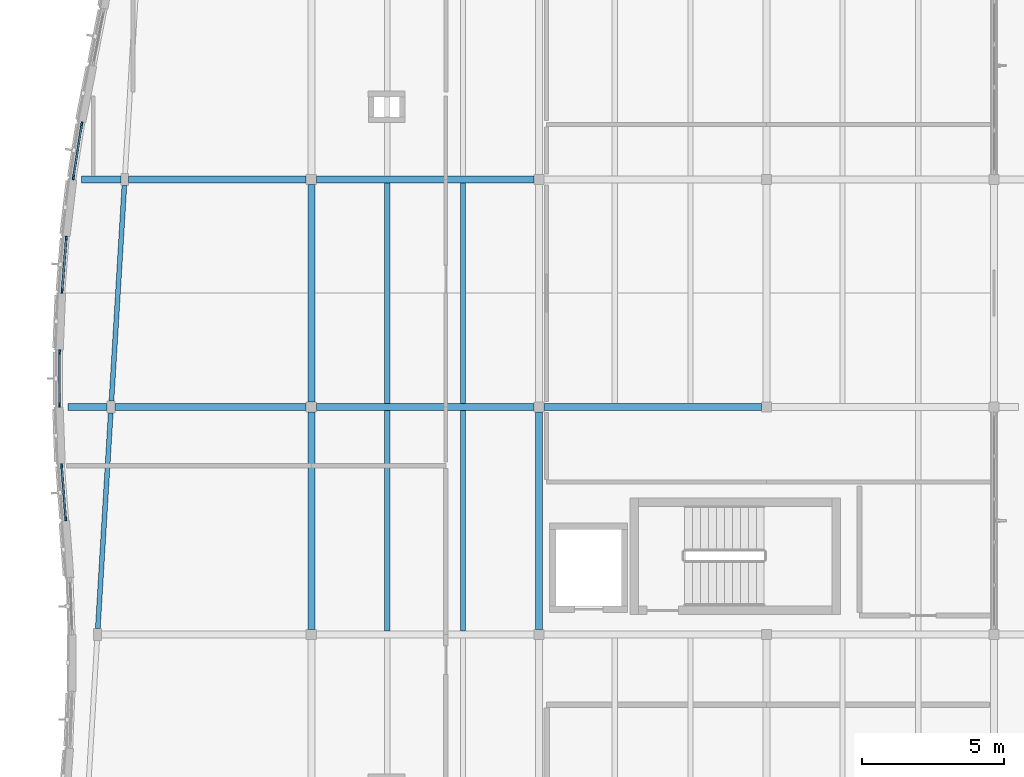
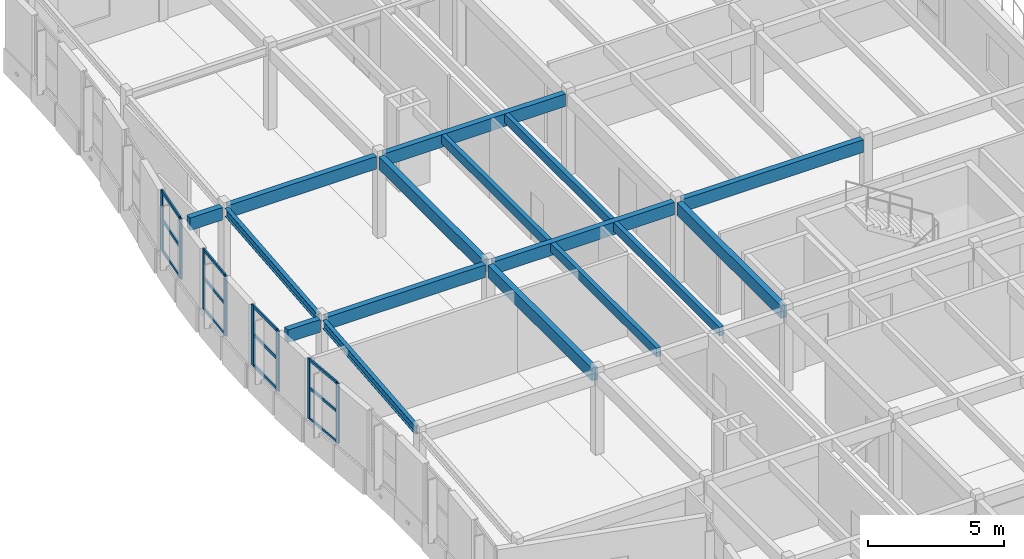
# One storey, part 9 of 63: 20 members, 16 beams, 4 elements without a shape of their own.
"""IFC4 building model written with IfcOpenShell, lengths in metres."""

from ifc_helpers import new_model, si_unit, direction, frame, origin, origin_2d, place, context, subcontext, project, spatial, rectangle, i_section, extrude, material, layer, layer_set, material_profile, profile_set, type_object, element, aggregate, save


model = new_model("IFC4")

# Units and contexts
model_context = context("Model", 3, precision=1e-05, world=origin(), true_north=direction((0.0, 1.0)))
body_context = subcontext(model_context, "Body", "Model", "MODEL_VIEW")
ifc_project = project(units=[si_unit("LENGTHUNIT", "METRE"), si_unit("AREAUNIT", "SQUARE_METRE"), si_unit("VOLUMEUNIT", "CUBIC_METRE"), si_unit("PLANEANGLEUNIT", "RADIAN"), si_unit("MASSUNIT", "GRAM", prefix="KILO")], contexts=[model_context])

# Site, building, storey
site_placement = place(None, origin())
site = spatial("IfcSite", under=ifc_project, at=site_placement, CompositionType="ELEMENT")
building_placement = place(site_placement, origin())
building = spatial("IfcBuilding", under=site, at=building_placement, Name="Tonlespit Floodbar School", CompositionType="ELEMENT")
storey_placement = place(building_placement, frame((0.0, 0.0, 8.39990234375)))
storey = spatial("IfcBuildingStorey", under=building, at=storey_placement, Name="L02", CompositionType="ELEMENT", Elevation=8.39990234375)

# Beams
ifc_material_1 = material(Name="Glulam GL28h", Category="wood")
ifc_material_profile_1 = material_profile(ifc_material_1, rectangle(XDim=0.239990234375, YDim=0.56005859375, at=origin_2d()), Name="GL 240x560")
ifc_profile_set_1 = profile_set([ifc_material_profile_1], Name="Glulam GL28h")
beam_type_1 = type_object("IfcBeamType", Name="Beam_GL_240x560", PredefinedType="BEAM", material=ifc_profile_set_1)
beam_1_placement = place(storey_placement, frame((5.10009765625, 72.0, 3.3701171875), z_axis=(1.0, 0.0, 0.0), x_axis=(0.0, 1.0, 0.0)))
element("IfcBeam", 1, at=beam_1_placement, inside=storey, type_object=beam_type_1, Name="L02 girder 0940", PredefinedType="BEAM", context=body_context, shape_type="SweptSolid", body=[
    extrude(rectangle(XDim=0.239990234375, YDim=0.56005859375, at=origin_2d()), origin(), (0.0, 0.0, 1.0), 6.719970703125),
])
for number, where, z_axis, x_axis, name in (
    (2, (12.179931640625, 72.0, 3.3701171875), (1.0, 0.0, 0.0), (0.0, 1.0, 0.0), "L02 girder 0941"),
    (3, (20.179931640625, 72.0, 3.3701171875), (1.0, 0.0, 0.0), (0.0, 1.0, 0.0), "L02 girder 0942"),
):
    element("IfcBeam", number, at=place(storey_placement, frame(where, z_axis=z_axis, x_axis=x_axis)), inside=storey, type_object=beam_type_1, Name=name, PredefinedType="BEAM", context=body_context, shape_type="SweptSolid", body=[
        extrude(rectangle(XDim=0.239990234375, YDim=0.56005859375, at=origin_2d()), origin(), (0.0, 0.0, 1.0), 7.64013671875),
    ])
beam_2_placement = place(storey_placement, frame((5.580078125, 80.0, 3.3701171875), z_axis=(1.0, 0.0, 0.0), x_axis=(0.0, 1.0, 0.0)))
element("IfcBeam", 4, at=beam_2_placement, inside=storey, type_object=beam_type_1, Name="L02 girder 0944", PredefinedType="BEAM", context=body_context, shape_type="SweptSolid", body=[
    extrude(rectangle(XDim=0.239990234375, YDim=0.56005859375, at=origin_2d()), origin(), (0.0, 0.0, 1.0), 6.239990234375),
])
for number, where, z_axis, x_axis, name in (
    (5, (12.179931640625, 80.0, 3.3701171875), (1.0, 0.0, 0.0), (0.0, 1.0, 0.0), "L02 girder 0945"),
    (6, (12.0, 64.179931640625, 3.3701171875), (0.0, 1.0, 0.0), (-1.0, 0.0, 0.0), "L02 girder 1004"),
    (7, (12.0, 72.179931640625, 3.3701171875), (0.0, 1.0, 0.0), (-1.0, 0.0, 0.0), "L02 girder 1005"),
    (8, (20.0, 64.179931640625, 3.3701171875), (0.0, 1.0, 0.0), (-1.0, 0.0, 0.0), "L02 girder 1013"),
):
    element("IfcBeam", number, at=place(storey_placement, frame(where, z_axis=z_axis, x_axis=x_axis)), inside=storey, type_object=beam_type_1, Name=name, PredefinedType="BEAM", context=body_context, shape_type="SweptSolid", body=[
        extrude(rectangle(XDim=0.239990234375, YDim=0.56005859375, at=origin_2d()), origin(), (0.0, 0.0, 1.0), 7.64013671875),
    ])
for number, where, z_axis, x_axis, name in (
    (9, (4.820068359375, 72.0, 3.3701171875), (-1.0, 0.0, 0.0), (0.0, -1.0, 0.0), "L02 west street wave cantilever bracket"),
    (10, (5.300048828125, 80.0, 3.3701171875), (-1.0, 0.0, 0.0), (0.0, -1.0, 0.0), "L02 west street wave cantilever bracket"),
):
    element("IfcBeam", number, at=place(storey_placement, frame(where, z_axis=z_axis, x_axis=x_axis)), inside=storey, type_object=beam_type_1, Name=name, PredefinedType="BEAM", context=body_context, shape_type="SweptSolid", body=[
        extrude(rectangle(XDim=0.239990234375, YDim=0.56005859375, at=origin_2d()), origin(), (0.0, 0.0, 1.0), 1.375),
    ])

# Curtain wall, members
ifc_material_2 = material(Name="Anodised Aluminium", Category="aluminium")
ifc_layer_1 = layer(ifc_material_2, 0.159912109375)
ifc_layer_set_1 = layer_set([ifc_layer_1], Name="Anodised Aluminium")
curtain_wall_type_1 = type_object("IfcCurtainWallType", Name="CurtainWall_1950x2700", PredefinedType="NOTDEFINED", material=ifc_layer_set_1)
curtain_wall_1_placement = place(storey_placement, origin())
curtain_wall_1 = element("IfcCurtainWall", 11, at=curtain_wall_1_placement, inside=storey, type_object=curtain_wall_type_1, Name="L02 unitised curtain wall 0290", PredefinedType="NOTDEFINED")
ifc_material_profile_2 = material_profile(ifc_material_2, rectangle(XDim=0.06494140625, YDim=0.14990234375, at=origin_2d()), Name="ALU M65x150")
ifc_profile_set_2 = profile_set([ifc_material_profile_2], Name="Anodised Aluminium")
member_type_1 = type_object("IfcMemberType", Name="CW_Mullion_65x150", PredefinedType="MULLION", material=ifc_profile_set_2)
member_1_placement = place(storey_placement, frame((3.364501953125, 68.072265625, 0.9501953125), z_axis=(0.0, 0.0, 1.0), x_axis=(-0.997129753565, -0.075711654028, 0.0)))
member_1 = element("IfcMember", 12, at=member_1_placement, type_object=member_type_1, Name="CW-04 mullion 1", PredefinedType="MULLION", context=body_context, shape_type="SweptSolid", body=[
    extrude(rectangle(XDim=0.06494140625, YDim=0.14990234375, at=origin_2d()), origin(), (0.0, 0.0, 1.0), 2.699951171875),
])
member_2_placement = place(storey_placement, frame((3.2236328125, 69.927734375, 0.9501953125), z_axis=(0.0, 0.0, 1.0), x_axis=(-0.997129753565, -0.075711654028, 0.0)))
member_2 = element("IfcMember", 13, at=member_2_placement, type_object=member_type_1, Name="CW-04 mullion 2", PredefinedType="MULLION", context=body_context, shape_type="SweptSolid", body=[
    extrude(rectangle(XDim=0.06494140625, YDim=0.14990234375, at=origin_2d()), origin(), (0.0, 0.0, 1.0), 2.699951171875),
])

curtain_wall_2_placement = place(storey_placement, origin())
curtain_wall_2 = element("IfcCurtainWall", 14, at=curtain_wall_2_placement, inside=storey, type_object=curtain_wall_type_1, Name="L02 unitised curtain wall 0292", PredefinedType="NOTDEFINED")
member_3_placement = place(storey_placement, frame((3.236572265625, 76.072265625, 0.9501953125), z_axis=(0.0, 0.0, 1.0), x_axis=(-0.996877534245, 0.078963166836, 0.0)))
member_3 = element("IfcMember", 15, at=member_3_placement, type_object=member_type_1, Name="CW-04 mullion 1", PredefinedType="MULLION", context=body_context, shape_type="SweptSolid", body=[
    extrude(rectangle(XDim=0.06494140625, YDim=0.14990234375, at=origin_2d()), origin(), (0.0, 0.0, 1.0), 2.699951171875),
])
member_4_placement = place(storey_placement, frame((3.383544921875, 77.927734375, 0.9501953125), z_axis=(0.0, 0.0, 1.0), x_axis=(-0.996877534245, 0.078963166836, 0.0)))
member_4 = element("IfcMember", 16, at=member_4_placement, type_object=member_type_1, Name="CW-04 mullion 2", PredefinedType="MULLION", context=body_context, shape_type="SweptSolid", body=[
    extrude(rectangle(XDim=0.06494140625, YDim=0.14990234375, at=origin_2d()), origin(), (0.0, 0.0, 1.0), 2.699951171875),
])

ifc_layer_2 = layer(ifc_material_2, 0.159912109375)
ifc_layer_set_2 = layer_set([ifc_layer_2], Name="Anodised Aluminium")
curtain_wall_type_2 = type_object("IfcCurtainWallType", Name="CurtainWall_1900x2700", PredefinedType="NOTDEFINED", material=ifc_layer_set_2)
curtain_wall_3_placement = place(storey_placement, origin())
curtain_wall_3 = element("IfcCurtainWall", 17, at=curtain_wall_3_placement, inside=storey, type_object=curtain_wall_type_2, Name="L02 unitised curtain wall 0291", PredefinedType="NOTDEFINED")
ifc_material_profile_3 = material_profile(ifc_material_2, rectangle(XDim=0.06494140625, YDim=0.179931640625, at=origin_2d()), Name="ALU M65x180")
ifc_profile_set_3 = profile_set([ifc_material_profile_3], Name="Anodised Aluminium")
member_type_2 = type_object("IfcMemberType", Name="CW_Mullion_65x180", PredefinedType="MULLION", material=ifc_profile_set_3)
member_5_placement = place(storey_placement, frame((3.145263671875, 72.072509765625, 0.9501953125), z_axis=(0.0, 0.0, 1.0), x_axis=(-0.99999760743, 0.00218749477, 0.0)))
member_5 = element("IfcMember", 18, at=member_5_placement, type_object=member_type_2, Name="CW-05 mullion 1", PredefinedType="MULLION", context=body_context, shape_type="SweptSolid", body=[
    extrude(rectangle(XDim=0.06494140625, YDim=0.179931640625, at=origin_2d()), origin(), (0.0, 0.0, 1.0), 2.699951171875),
])
member_6_placement = place(storey_placement, frame((3.149169921875, 73.927490234375, 0.9501953125), z_axis=(0.0, 0.0, 1.0), x_axis=(-0.99999760743, 0.00218749477, 0.0)))
member_6 = element("IfcMember", 19, at=member_6_placement, type_object=member_type_2, Name="CW-05 mullion 2", PredefinedType="MULLION", context=body_context, shape_type="SweptSolid", body=[
    extrude(rectangle(XDim=0.06494140625, YDim=0.179931640625, at=origin_2d()), origin(), (0.0, 0.0, 1.0), 2.699951171875),
])

curtain_wall_4_placement = place(storey_placement, origin())
curtain_wall_4 = element("IfcCurtainWall", 20, at=curtain_wall_4_placement, inside=storey, type_object=curtain_wall_type_1, Name="L02 unitised curtain wall 0293", PredefinedType="NOTDEFINED")
member_7_placement = place(storey_placement, frame((3.63623046875, 80.071533203125, 0.9501953125), z_axis=(0.0, 0.0, 1.0), x_axis=(-0.987961482869, 0.154700059367, 0.0)))
member_7 = element("IfcMember", 21, at=member_7_placement, type_object=member_type_2, Name="CW-04 mullion 1", PredefinedType="MULLION", context=body_context, shape_type="SweptSolid", body=[
    extrude(rectangle(XDim=0.06494140625, YDim=0.179931640625, at=origin_2d()), origin(), (0.0, 0.0, 1.0), 2.699951171875),
])
member_8_placement = place(storey_placement, frame((3.927001953125, 81.928466796875, 0.9501953125), z_axis=(0.0, 0.0, 1.0), x_axis=(-0.987961482869, 0.154700059367, 0.0)))
member_8 = element("IfcMember", 22, at=member_8_placement, type_object=member_type_2, Name="CW-04 mullion 2", PredefinedType="MULLION", context=body_context, shape_type="SweptSolid", body=[
    extrude(rectangle(XDim=0.06494140625, YDim=0.179931640625, at=origin_2d()), origin(), (0.0, 0.0, 1.0), 2.699951171875),
])

# Member
ifc_material_profile_4 = material_profile(ifc_material_2, rectangle(XDim=0.06494140625, YDim=0.1201171875, at=origin_2d()), Name="ALU T65x120")
ifc_profile_set_4 = profile_set([ifc_material_profile_4], Name="Anodised Aluminium")
member_type_3 = type_object("IfcMemberType", Name="CW_Transom_65x120", PredefinedType="USERDEFINED", material=ifc_profile_set_4)
member_9_placement = place(storey_placement, frame((3.362060546875, 68.104736328125, 0.982666015625), z_axis=(-0.075729549468, 0.99712839461, 0.0), x_axis=(-0.99712839461, -0.075729549468, 0.0)))
member_9 = element("IfcMember", 23, at=member_9_placement, type_object=member_type_3, Name="CW-04 transom 1.1", ObjectType="TRANSOM", PredefinedType="USERDEFINED", context=body_context, shape_type="SweptSolid", body=[
    extrude(rectangle(XDim=0.06494140625, YDim=0.1201171875, at=origin_2d()), origin(), (0.0, 0.0, 1.0), 1.795654296875),
])

member_10_placement = place(storey_placement, frame((3.362060546875, 68.104736328125, 2.35400390625), z_axis=(-0.075729549468, 0.99712839461, 0.0), x_axis=(-0.99712839461, -0.075729549468, 0.0)))
member_10 = element("IfcMember", 24, at=member_10_placement, type_object=member_type_3, Name="CW-04 transom 1.2", ObjectType="TRANSOM", PredefinedType="USERDEFINED", context=body_context, shape_type="SweptSolid", body=[
    extrude(rectangle(XDim=0.06494140625, YDim=0.1201171875, at=origin_2d()), origin(), (0.0, 0.0, 1.0), 1.795654296875),
])

member_11_placement = place(storey_placement, frame((3.362060546875, 68.104736328125, 3.61767578125), z_axis=(-0.075729549468, 0.99712839461, 0.0), x_axis=(-0.99712839461, -0.075729549468, 0.0)))
member_11 = element("IfcMember", 25, at=member_11_placement, type_object=member_type_3, Name="CW-04 transom 1.3", ObjectType="TRANSOM", PredefinedType="USERDEFINED", context=body_context, shape_type="SweptSolid", body=[
    extrude(rectangle(XDim=0.06494140625, YDim=0.1201171875, at=origin_2d()), origin(), (0.0, 0.0, 1.0), 1.795654296875),
])

aggregate(curtain_wall_1, [member_1, member_2, member_9, member_10, member_11])

member_12_placement = place(storey_placement, frame((3.2392578125, 76.104736328125, 0.982666015625), z_axis=(0.078972649437, 0.996876783079, 0.0), x_axis=(-0.996876783079, 0.078972649437, 0.0)))
member_12 = element("IfcMember", 26, at=member_12_placement, type_object=member_type_3, Name="CW-04 transom 1.1", ObjectType="TRANSOM", PredefinedType="USERDEFINED", context=body_context, shape_type="SweptSolid", body=[
    extrude(rectangle(XDim=0.06494140625, YDim=0.1201171875, at=origin_2d()), origin(), (0.0, 0.0, 1.0), 1.796142578125),
])

member_13_placement = place(storey_placement, frame((3.2392578125, 76.104736328125, 2.35400390625), z_axis=(0.078972649437, 0.996876783079, 0.0), x_axis=(-0.996876783079, 0.078972649437, 0.0)))
member_13 = element("IfcMember", 27, at=member_13_placement, type_object=member_type_3, Name="CW-04 transom 1.2", ObjectType="TRANSOM", PredefinedType="USERDEFINED", context=body_context, shape_type="SweptSolid", body=[
    extrude(rectangle(XDim=0.06494140625, YDim=0.1201171875, at=origin_2d()), origin(), (0.0, 0.0, 1.0), 1.796142578125),
])

member_14_placement = place(storey_placement, frame((3.2392578125, 76.104736328125, 3.61767578125), z_axis=(0.078972649437, 0.996876783079, 0.0), x_axis=(-0.996876783079, 0.078972649437, 0.0)))
member_14 = element("IfcMember", 28, at=member_14_placement, type_object=member_type_3, Name="CW-04 transom 1.3", ObjectType="TRANSOM", PredefinedType="USERDEFINED", context=body_context, shape_type="SweptSolid", body=[
    extrude(rectangle(XDim=0.06494140625, YDim=0.1201171875, at=origin_2d()), origin(), (0.0, 0.0, 1.0), 1.796142578125),
])

aggregate(curtain_wall_2, [member_3, member_4, member_12, member_13, member_14])

ifc_material_profile_5 = material_profile(ifc_material_2, rectangle(XDim=0.06494140625, YDim=0.139892578125, at=origin_2d()), Name="ALU T65x140")
ifc_profile_set_5 = profile_set([ifc_material_profile_5], Name="Anodised Aluminium")
member_type_4 = type_object("IfcMemberType", Name="CW_Transom_65x140", PredefinedType="USERDEFINED", material=ifc_profile_set_5)
member_15_placement = place(storey_placement, frame((3.145263671875, 72.10498046875, 0.982666015625), z_axis=(0.002182209752, 0.999997618977, 0.0), x_axis=(-0.999997618977, 0.002182209752, 0.0)))
member_15 = element("IfcMember", 29, at=member_15_placement, type_object=member_type_4, Name="CW-05 transom 1.1", ObjectType="TRANSOM", PredefinedType="USERDEFINED", context=body_context, shape_type="SweptSolid", body=[
    extrude(rectangle(XDim=0.06494140625, YDim=0.139892578125, at=origin_2d()), origin(), (0.0, 0.0, 1.0), 1.7900390625),
])

member_16_placement = place(storey_placement, frame((3.145263671875, 72.10498046875, 2.35400390625), z_axis=(0.002182209752, 0.999997618977, 0.0), x_axis=(-0.999997618977, 0.002182209752, 0.0)))
member_16 = element("IfcMember", 30, at=member_16_placement, type_object=member_type_4, Name="CW-05 transom 1.2", ObjectType="TRANSOM", PredefinedType="USERDEFINED", context=body_context, shape_type="SweptSolid", body=[
    extrude(rectangle(XDim=0.06494140625, YDim=0.139892578125, at=origin_2d()), origin(), (0.0, 0.0, 1.0), 1.7900390625),
])

member_17_placement = place(storey_placement, frame((3.145263671875, 72.10498046875, 3.61767578125), z_axis=(0.002182209752, 0.999997618977, 0.0), x_axis=(-0.999997618977, 0.002182209752, 0.0)))
member_17 = element("IfcMember", 31, at=member_17_placement, type_object=member_type_4, Name="CW-05 transom 1.3", ObjectType="TRANSOM", PredefinedType="USERDEFINED", context=body_context, shape_type="SweptSolid", body=[
    extrude(rectangle(XDim=0.06494140625, YDim=0.139892578125, at=origin_2d()), origin(), (0.0, 0.0, 1.0), 1.7900390625),
])

aggregate(curtain_wall_3, [member_5, member_6, member_15, member_16, member_17])

member_18_placement = place(storey_placement, frame((3.641357421875, 80.103759765625, 0.982666015625), z_axis=(0.154614961854, 0.987974804117, 0.0), x_axis=(-0.987974804117, 0.154614961854, 0.0)))
member_18 = element("IfcMember", 32, at=member_18_placement, type_object=member_type_4, Name="CW-04 transom 1.1", ObjectType="TRANSOM", PredefinedType="USERDEFINED", context=body_context, shape_type="SweptSolid", body=[
    extrude(rectangle(XDim=0.06494140625, YDim=0.139892578125, at=origin_2d()), origin(), (0.0, 0.0, 1.0), 1.814208984375),
])

member_19_placement = place(storey_placement, frame((3.641357421875, 80.103759765625, 2.35400390625), z_axis=(0.154614961854, 0.987974804117, 0.0), x_axis=(-0.987974804117, 0.154614961854, 0.0)))
member_19 = element("IfcMember", 33, at=member_19_placement, type_object=member_type_4, Name="CW-04 transom 1.2", ObjectType="TRANSOM", PredefinedType="USERDEFINED", context=body_context, shape_type="SweptSolid", body=[
    extrude(rectangle(XDim=0.06494140625, YDim=0.139892578125, at=origin_2d()), origin(), (0.0, 0.0, 1.0), 1.814208984375),
])

member_20_placement = place(storey_placement, frame((3.641357421875, 80.103759765625, 3.61767578125), z_axis=(0.154614961854, 0.987974804117, 0.0), x_axis=(-0.987974804117, 0.154614961854, 0.0)))
member_20 = element("IfcMember", 34, at=member_20_placement, type_object=member_type_4, Name="CW-04 transom 1.3", ObjectType="TRANSOM", PredefinedType="USERDEFINED", context=body_context, shape_type="SweptSolid", body=[
    extrude(rectangle(XDim=0.06494140625, YDim=0.139892578125, at=origin_2d()), origin(), (0.0, 0.0, 1.0), 1.814208984375),
])

aggregate(curtain_wall_4, [member_7, member_8, member_18, member_19, member_20])

# Beams
ifc_material_profile_6 = material_profile(ifc_material_1, rectangle(XDim=0.179931640625, YDim=0.39990234375, at=origin_2d()), Name="GL 180x400")
ifc_profile_set_6 = profile_set([ifc_material_profile_6], Name="Glulam GL28h")
beam_type_2 = type_object("IfcBeamType", Name="Joist_GL_180x400", PredefinedType="JOIST", material=ifc_profile_set_6)
for number, where, z_axis, x_axis, name in (
    (35, (14.666748046875, 64.1201171875, 3.4501953125), (0.0, 1.0, 0.0), (-1.0, 0.0, 0.0), "L02 secondary joist 1083"),
    (36, (17.333251953125, 64.1201171875, 3.4501953125), (0.0, 1.0, 0.0), (-1.0, 0.0, 0.0), "L02 secondary joist 1084"),
    (37, (14.666748046875, 72.1201171875, 3.4501953125), (0.0, 1.0, 0.0), (-1.0, 0.0, 0.0), "L02 secondary joist 1086"),
    (38, (17.333251953125, 72.1201171875, 3.4501953125), (0.0, 1.0, 0.0), (-1.0, 0.0, 0.0), "L02 secondary joist 1087"),
):
    element("IfcBeam", number, at=place(storey_placement, frame(where, z_axis=z_axis, x_axis=x_axis)), inside=storey, type_object=beam_type_2, Name=name, PredefinedType="JOIST", context=body_context, shape_type="SweptSolid", body=[
        extrude(rectangle(XDim=0.179931640625, YDim=0.39990234375, at=origin_2d()), origin(), (0.0, 0.0, 1.0), 7.759765625),
    ])
ifc_material_3 = material(Name="Steel S355", Category="steel")
ifc_material_profile_7 = material_profile(ifc_material_3, i_section(OverallWidth=0.169921875, OverallDepth=0.360107421875, WebThickness=0.008056640625, FlangeThickness=0.0126953125, at=origin_2d()), Name="IPE 360")
ifc_profile_set_7 = profile_set([ifc_material_profile_7], Name="Steel S355")
beam_type_3 = type_object("IfcBeamType", Name="Spandrel_STL_IPE360", PredefinedType="SPANDREL", material=ifc_profile_set_7)
for number, where, z_axis, x_axis, name in (
    (39, (4.49267578125, 64.209716796875, 3.47021484375), (0.059892290728, 0.998204845466, 0.0), (-0.998204845466, 0.059892290728, 0.0), "L02 splayed edge spandrel 1061"),
    (40, (4.97265625, 72.209716796875, 3.47021484375), (0.059892290728, 0.998204845466, 0.0), (-0.998204845466, 0.059892290728, 0.0), "L02 splayed edge spandrel 1062"),
):
    element("IfcBeam", number, at=place(storey_placement, frame(where, z_axis=z_axis, x_axis=x_axis)), inside=storey, type_object=beam_type_3, Name=name, PredefinedType="SPANDREL", context=body_context, shape_type="SweptSolid", body=[
        extrude(i_section(OverallWidth=0.169921875, OverallDepth=0.360107421875, WebThickness=0.008056640625, FlangeThickness=0.0126953125, at=origin_2d()), origin(), (0.0, 0.0, 1.0), 7.59423828125),
    ])

save(model, "model.ifc")
